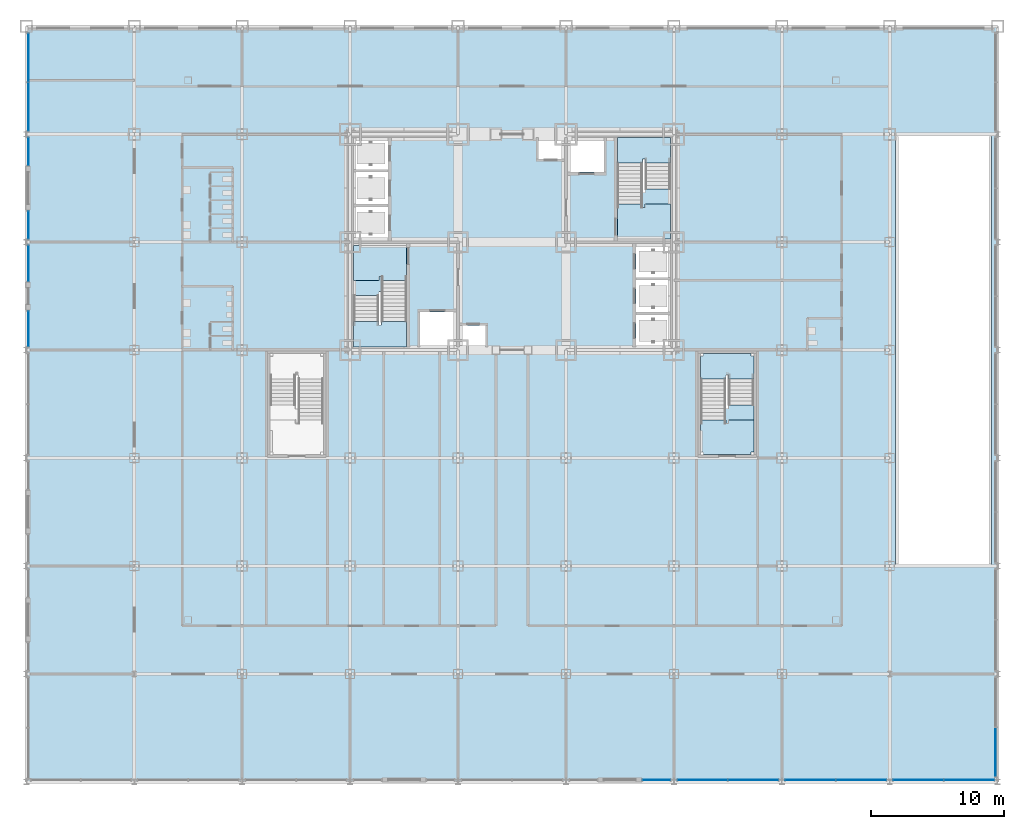
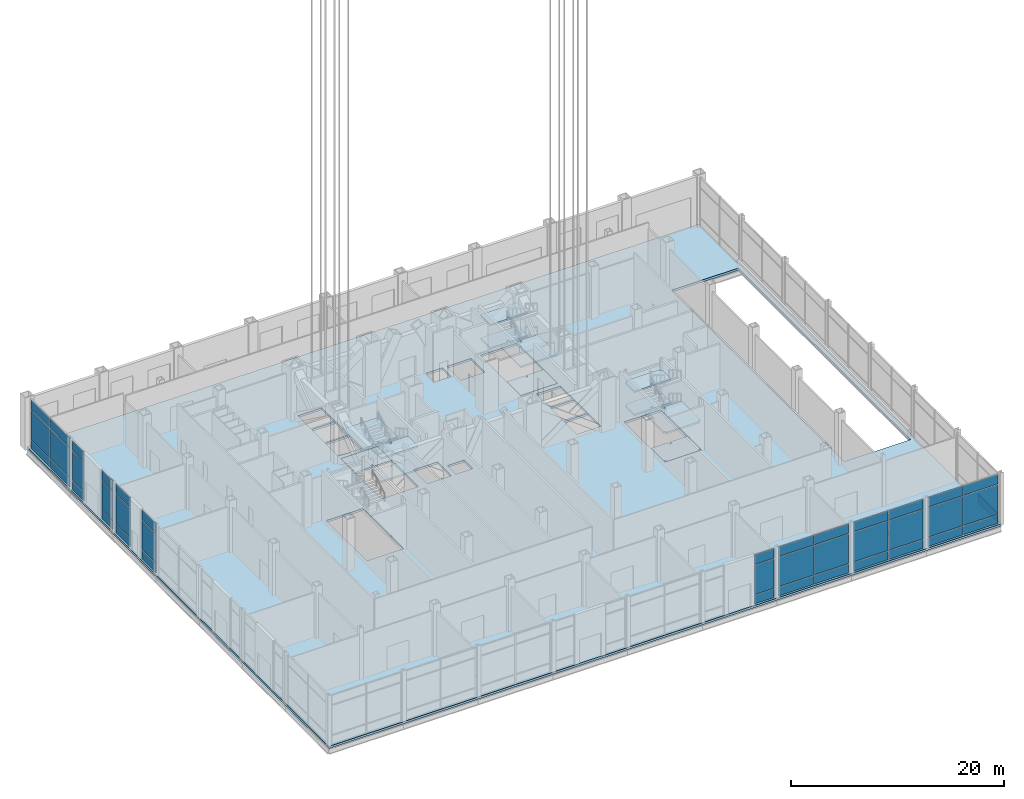
# One storey, part 20 of 35: 40 plates, 13 slabs, 13 elements without a shape of their own.
"""IFC4 building model written with IfcOpenShell, lengths in metres."""

from ifc_helpers import new_model, si_unit, direction, frame, origin, origin_2d, place, context, subcontext, project, spatial, polyline, rectangle, outline, extrude, material, layer, layer_set, type_object, element, aggregate, save


model = new_model("IFC4")

# Units and contexts
model_context = context("Model", 3, precision=1e-05, world=origin(), true_north=direction((0.0, 1.0)))
body_context = subcontext(model_context, "Body", "Model", "MODEL_VIEW")
ifc_project = project(units=[si_unit("LENGTHUNIT", "METRE"), si_unit("AREAUNIT", "SQUARE_METRE"), si_unit("VOLUMEUNIT", "CUBIC_METRE"), si_unit("PLANEANGLEUNIT", "RADIAN"), si_unit("MASSUNIT", "GRAM", prefix="KILO")], contexts=[model_context])

# Site, building, storey
site_placement = place(None, origin())
site = spatial("IfcSite", under=ifc_project, at=site_placement, CompositionType="ELEMENT")
building_placement = place(site_placement, origin())
building = spatial("IfcBuilding", under=site, at=building_placement, Name="Kopane Lantern Tower", CompositionType="ELEMENT")
storey_placement = place(building_placement, origin())
storey = spatial("IfcBuildingStorey", under=building, at=storey_placement, Name="L00", CompositionType="ELEMENT", Elevation=0.0)

# Curtain wall, plates
ifc_material_1 = material(Name="Aluminium and clear glass", Category="aluminium")
curtain_wall_type = type_object("IfcCurtainWallType", Name="CURTAIN WALL CW1 PODIUM STOREFRONT", PredefinedType="USERDEFINED", material=ifc_material_1)
curtain_wall_1_placement = place(storey_placement, origin())
curtain_wall_1 = element("IfcCurtainWall", 1, at=curtain_wall_1_placement, inside=storey, type_object=curtain_wall_type, Name="Curtain wall CW1 S L00", ObjectType="CURTAIN WALL", PredefinedType="USERDEFINED")
ifc_material_2 = material(Name="Insulated clear glass unit", Category="glass")
ifc_layer_1 = layer(ifc_material_2, 0.031982421875)
ifc_layer_set_1 = layer_set([ifc_layer_1], Name="CURTAIN PANEL CW1-P 32")
plate_type = type_object("IfcPlateType", Name="CURTAIN PANEL CW1-P 32", PredefinedType="CURTAIN_PANEL", material=ifc_layer_set_1)
plate_1_placement = place(storey_placement, frame((39.19677734375, -7.949951171875, 0.06494140625), z_axis=(0.0, 0.0, 1.0), x_axis=(1.0, 0.0, 0.0)))
plate_1 = element("IfcPlate", 2, at=plate_1_placement, type_object=plate_type, Name="CW1 panel 1.1", PredefinedType="CURTAIN_PANEL", context=body_context, shape_type="SweptSolid", body=[
    extrude(rectangle(XDim=2.0634765625, YDim=0.031982421875, at=origin_2d()), origin(), (0.0, 0.0, 1.0), 1.00244140625),
])
plate_2_placement = place(storey_placement, frame((39.19677734375, -7.949951171875, 1.13232421875), z_axis=(0.0, 0.0, 1.0), x_axis=(1.0, 0.0, 0.0)))
plate_2 = element("IfcPlate", 3, at=plate_2_placement, type_object=plate_type, Name="CW1 panel 1.2", PredefinedType="CURTAIN_PANEL", context=body_context, shape_type="SweptSolid", body=[
    extrude(rectangle(XDim=2.0634765625, YDim=0.031982421875, at=origin_2d()), origin(), (0.0, 0.0, 1.0), 3.385009765625),
])
plate_3_placement = place(storey_placement, frame((39.19677734375, -7.949951171875, 4.58251953125), z_axis=(0.0, 0.0, 1.0), x_axis=(1.0, 0.0, 0.0)))
plate_3 = element("IfcPlate", 4, at=plate_3_placement, type_object=plate_type, Name="CW1 panel 1.3", PredefinedType="CURTAIN_PANEL", context=body_context, shape_type="SweptSolid", body=[
    extrude(rectangle(XDim=2.0634765625, YDim=0.031982421875, at=origin_2d()), origin(), (0.0, 0.0, 1.0), 1.1025390625),
])
aggregate(curtain_wall_1, [plate_1, plate_2, plate_3])

curtain_wall_2_placement = place(storey_placement, origin())
curtain_wall_2 = element("IfcCurtainWall", 5, at=curtain_wall_2_placement, inside=storey, type_object=curtain_wall_type, Name="Curtain wall CW1 S L00", ObjectType="CURTAIN WALL", PredefinedType="USERDEFINED")
plate_4_placement = place(storey_placement, frame((42.64453125, -7.949951171875, 0.06494140625), z_axis=(0.0, 0.0, 1.0), x_axis=(1.0, 0.0, 0.0)))
plate_4 = element("IfcPlate", 6, at=plate_4_placement, type_object=plate_type, Name="CW1 panel 1.1", PredefinedType="CURTAIN_PANEL", context=body_context, shape_type="SweptSolid", body=[
    extrude(rectangle(XDim=3.74609375, YDim=0.031982421875, at=origin_2d()), origin(), (0.0, 0.0, 1.0), 1.00244140625),
])
plate_5_placement = place(storey_placement, frame((42.64453125, -7.949951171875, 1.13232421875), z_axis=(0.0, 0.0, 1.0), x_axis=(1.0, 0.0, 0.0)))
plate_5 = element("IfcPlate", 7, at=plate_5_placement, type_object=plate_type, Name="CW1 panel 1.2", PredefinedType="CURTAIN_PANEL", context=body_context, shape_type="SweptSolid", body=[
    extrude(rectangle(XDim=3.74609375, YDim=0.031982421875, at=origin_2d()), origin(), (0.0, 0.0, 1.0), 3.385009765625),
])
plate_6_placement = place(storey_placement, frame((42.64453125, -7.949951171875, 4.58251953125), z_axis=(0.0, 0.0, 1.0), x_axis=(1.0, 0.0, 0.0)))
plate_6 = element("IfcPlate", 8, at=plate_6_placement, type_object=plate_type, Name="CW1 panel 1.3", PredefinedType="CURTAIN_PANEL", context=body_context, shape_type="SweptSolid", body=[
    extrude(rectangle(XDim=3.74609375, YDim=0.031982421875, at=origin_2d()), origin(), (0.0, 0.0, 1.0), 1.1025390625),
])
plate_7_placement = place(storey_placement, frame((46.45556640625, -7.949951171875, 0.06494140625), z_axis=(0.0, 0.0, 1.0), x_axis=(1.0, 0.0, 0.0)))
plate_7 = element("IfcPlate", 9, at=plate_7_placement, type_object=plate_type, Name="CW1 panel 2.1", PredefinedType="CURTAIN_PANEL", context=body_context, shape_type="SweptSolid", body=[
    extrude(rectangle(XDim=3.74609375, YDim=0.031982421875, at=origin_2d()), origin(), (0.0, 0.0, 1.0), 1.00244140625),
])
plate_8_placement = place(storey_placement, frame((46.45556640625, -7.949951171875, 1.13232421875), z_axis=(0.0, 0.0, 1.0), x_axis=(1.0, 0.0, 0.0)))
plate_8 = element("IfcPlate", 10, at=plate_8_placement, type_object=plate_type, Name="CW1 panel 2.2", PredefinedType="CURTAIN_PANEL", context=body_context, shape_type="SweptSolid", body=[
    extrude(rectangle(XDim=3.74609375, YDim=0.031982421875, at=origin_2d()), origin(), (0.0, 0.0, 1.0), 3.385009765625),
])
plate_9_placement = place(storey_placement, frame((46.45556640625, -7.949951171875, 4.58251953125), z_axis=(0.0, 0.0, 1.0), x_axis=(1.0, 0.0, 0.0)))
plate_9 = element("IfcPlate", 11, at=plate_9_placement, type_object=plate_type, Name="CW1 panel 2.3", PredefinedType="CURTAIN_PANEL", context=body_context, shape_type="SweptSolid", body=[
    extrude(rectangle(XDim=3.74609375, YDim=0.031982421875, at=origin_2d()), origin(), (0.0, 0.0, 1.0), 1.1025390625),
])
aggregate(curtain_wall_2, [plate_4, plate_5, plate_6, plate_7, plate_8, plate_9])

curtain_wall_3_placement = place(storey_placement, origin())
curtain_wall_3 = element("IfcCurtainWall", 12, at=curtain_wall_3_placement, inside=storey, type_object=curtain_wall_type, Name="Curtain wall CW1 S L00", ObjectType="CURTAIN WALL", PredefinedType="USERDEFINED")
plate_10_placement = place(storey_placement, frame((50.744384765625, -7.949951171875, 0.06494140625), z_axis=(0.0, 0.0, 1.0), x_axis=(1.0, 0.0, 0.0)))
plate_10 = element("IfcPlate", 13, at=plate_10_placement, type_object=plate_type, Name="CW1 panel 1.1", PredefinedType="CURTAIN_PANEL", context=body_context, shape_type="SweptSolid", body=[
    extrude(rectangle(XDim=3.74609375, YDim=0.031982421875, at=origin_2d()), origin(), (0.0, 0.0, 1.0), 1.00244140625),
])
plate_11_placement = place(storey_placement, frame((50.744384765625, -7.949951171875, 1.13232421875), z_axis=(0.0, 0.0, 1.0), x_axis=(1.0, 0.0, 0.0)))
plate_11 = element("IfcPlate", 14, at=plate_11_placement, type_object=plate_type, Name="CW1 panel 1.2", PredefinedType="CURTAIN_PANEL", context=body_context, shape_type="SweptSolid", body=[
    extrude(rectangle(XDim=3.74609375, YDim=0.031982421875, at=origin_2d()), origin(), (0.0, 0.0, 1.0), 3.385009765625),
])
plate_12_placement = place(storey_placement, frame((50.744384765625, -7.949951171875, 4.58251953125), z_axis=(0.0, 0.0, 1.0), x_axis=(1.0, 0.0, 0.0)))
plate_12 = element("IfcPlate", 15, at=plate_12_placement, type_object=plate_type, Name="CW1 panel 1.3", PredefinedType="CURTAIN_PANEL", context=body_context, shape_type="SweptSolid", body=[
    extrude(rectangle(XDim=3.74609375, YDim=0.031982421875, at=origin_2d()), origin(), (0.0, 0.0, 1.0), 1.1025390625),
])
plate_13_placement = place(storey_placement, frame((54.555419921875, -7.949951171875, 0.06494140625), z_axis=(0.0, 0.0, 1.0), x_axis=(1.0, 0.0, 0.0)))
plate_13 = element("IfcPlate", 16, at=plate_13_placement, type_object=plate_type, Name="CW1 panel 2.1", PredefinedType="CURTAIN_PANEL", context=body_context, shape_type="SweptSolid", body=[
    extrude(rectangle(XDim=3.74609375, YDim=0.031982421875, at=origin_2d()), origin(), (0.0, 0.0, 1.0), 1.00244140625),
])
plate_14_placement = place(storey_placement, frame((54.555419921875, -7.949951171875, 1.13232421875), z_axis=(0.0, 0.0, 1.0), x_axis=(1.0, 0.0, 0.0)))
plate_14 = element("IfcPlate", 17, at=plate_14_placement, type_object=plate_type, Name="CW1 panel 2.2", PredefinedType="CURTAIN_PANEL", context=body_context, shape_type="SweptSolid", body=[
    extrude(rectangle(XDim=3.74609375, YDim=0.031982421875, at=origin_2d()), origin(), (0.0, 0.0, 1.0), 3.385009765625),
])
plate_15_placement = place(storey_placement, frame((54.555419921875, -7.949951171875, 4.58251953125), z_axis=(0.0, 0.0, 1.0), x_axis=(1.0, 0.0, 0.0)))
plate_15 = element("IfcPlate", 18, at=plate_15_placement, type_object=plate_type, Name="CW1 panel 2.3", PredefinedType="CURTAIN_PANEL", context=body_context, shape_type="SweptSolid", body=[
    extrude(rectangle(XDim=3.74609375, YDim=0.031982421875, at=origin_2d()), origin(), (0.0, 0.0, 1.0), 1.1025390625),
])
aggregate(curtain_wall_3, [plate_10, plate_11, plate_12, plate_13, plate_14, plate_15])

curtain_wall_4_placement = place(storey_placement, origin())
curtain_wall_4 = element("IfcCurtainWall", 19, at=curtain_wall_4_placement, inside=storey, type_object=curtain_wall_type, Name="Curtain wall CW1 S L00", ObjectType="CURTAIN WALL", PredefinedType="USERDEFINED")
plate_16_placement = place(storey_placement, frame((58.844482421875, -7.949951171875, 0.06494140625), z_axis=(0.0, 0.0, 1.0), x_axis=(1.0, 0.0, 0.0)))
plate_16 = element("IfcPlate", 20, at=plate_16_placement, type_object=plate_type, Name="CW1 panel 1.1", PredefinedType="CURTAIN_PANEL", context=body_context, shape_type="SweptSolid", body=[
    extrude(rectangle(XDim=3.74609375, YDim=0.031982421875, at=origin_2d()), origin(), (0.0, 0.0, 1.0), 1.00244140625),
])
plate_17_placement = place(storey_placement, frame((58.844482421875, -7.949951171875, 1.13232421875), z_axis=(0.0, 0.0, 1.0), x_axis=(1.0, 0.0, 0.0)))
plate_17 = element("IfcPlate", 21, at=plate_17_placement, type_object=plate_type, Name="CW1 panel 1.2", PredefinedType="CURTAIN_PANEL", context=body_context, shape_type="SweptSolid", body=[
    extrude(rectangle(XDim=3.74609375, YDim=0.031982421875, at=origin_2d()), origin(), (0.0, 0.0, 1.0), 3.385009765625),
])
plate_18_placement = place(storey_placement, frame((58.844482421875, -7.949951171875, 4.58251953125), z_axis=(0.0, 0.0, 1.0), x_axis=(1.0, 0.0, 0.0)))
plate_18 = element("IfcPlate", 22, at=plate_18_placement, type_object=plate_type, Name="CW1 panel 1.3", PredefinedType="CURTAIN_PANEL", context=body_context, shape_type="SweptSolid", body=[
    extrude(rectangle(XDim=3.74609375, YDim=0.031982421875, at=origin_2d()), origin(), (0.0, 0.0, 1.0), 1.1025390625),
])
plate_19_placement = place(storey_placement, frame((62.655517578125, -7.949951171875, 0.06494140625), z_axis=(0.0, 0.0, 1.0), x_axis=(1.0, 0.0, 0.0)))
plate_19 = element("IfcPlate", 23, at=plate_19_placement, type_object=plate_type, Name="CW1 panel 2.1", PredefinedType="CURTAIN_PANEL", context=body_context, shape_type="SweptSolid", body=[
    extrude(rectangle(XDim=3.74609375, YDim=0.031982421875, at=origin_2d()), origin(), (0.0, 0.0, 1.0), 1.00244140625),
])
plate_20_placement = place(storey_placement, frame((62.655517578125, -7.949951171875, 1.13232421875), z_axis=(0.0, 0.0, 1.0), x_axis=(1.0, 0.0, 0.0)))
plate_20 = element("IfcPlate", 24, at=plate_20_placement, type_object=plate_type, Name="CW1 panel 2.2", PredefinedType="CURTAIN_PANEL", context=body_context, shape_type="SweptSolid", body=[
    extrude(rectangle(XDim=3.74609375, YDim=0.031982421875, at=origin_2d()), origin(), (0.0, 0.0, 1.0), 3.385009765625),
])
plate_21_placement = place(storey_placement, frame((62.655517578125, -7.949951171875, 4.58251953125), z_axis=(0.0, 0.0, 1.0), x_axis=(1.0, 0.0, 0.0)))
plate_21 = element("IfcPlate", 25, at=plate_21_placement, type_object=plate_type, Name="CW1 panel 2.3", PredefinedType="CURTAIN_PANEL", context=body_context, shape_type="SweptSolid", body=[
    extrude(rectangle(XDim=3.74609375, YDim=0.031982421875, at=origin_2d()), origin(), (0.0, 0.0, 1.0), 1.1025390625),
])
aggregate(curtain_wall_4, [plate_16, plate_17, plate_18, plate_19, plate_20, plate_21])

# Curtain wall, plate
curtain_wall_5_placement = place(storey_placement, origin())
curtain_wall_5 = element("IfcCurtainWall", 26, at=curtain_wall_5_placement, inside=storey, type_object=curtain_wall_type, Name="Curtain wall CW1 E L00", ObjectType="CURTAIN WALL", PredefinedType="USERDEFINED")
plate_22_placement = place(storey_placement, frame((64.64990234375, -5.8857421875, 0.06494140625), z_axis=(0.0, 0.0, 1.0), x_axis=(0.0, 1.0, 0.0)))
plate_22 = element("IfcPlate", 27, at=plate_22_placement, type_object=plate_type, Name="CW1 panel 1.1", PredefinedType="CURTAIN_PANEL", context=body_context, shape_type="SweptSolid", body=[
    extrude(rectangle(XDim=3.698486328125, YDim=0.031982421875, at=origin_2d()), origin(), (0.0, 0.0, 1.0), 1.00244140625),
])
aggregate(curtain_wall_5, [plate_22])

# Curtain wall, plates
curtain_wall_6_placement = place(storey_placement, origin())
curtain_wall_6 = element("IfcCurtainWall", 28, at=curtain_wall_6_placement, inside=storey, type_object=curtain_wall_type, Name="Curtain wall CW1 W L00", ObjectType="CURTAIN WALL", PredefinedType="USERDEFINED")
plate_23_placement = place(storey_placement, frame((-7.949951171875, 46.250732421875, 0.06494140625), z_axis=(0.0, 0.0, 1.0), x_axis=(0.0, -1.0, 0.0)))
plate_23 = element("IfcPlate", 29, at=plate_23_placement, type_object=plate_type, Name="CW1 panel 1.1", PredefinedType="CURTAIN_PANEL", context=body_context, shape_type="SweptSolid", body=[
    extrude(rectangle(XDim=3.6083984375, YDim=0.031982421875, at=origin_2d()), origin(), (0.0, 0.0, 1.0), 1.00244140625),
])
plate_24_placement = place(storey_placement, frame((-7.949951171875, 46.250732421875, 1.13232421875), z_axis=(0.0, 0.0, 1.0), x_axis=(0.0, -1.0, 0.0)))
plate_24 = element("IfcPlate", 30, at=plate_24_placement, type_object=plate_type, Name="CW1 panel 1.2", PredefinedType="CURTAIN_PANEL", context=body_context, shape_type="SweptSolid", body=[
    extrude(rectangle(XDim=3.6083984375, YDim=0.031982421875, at=origin_2d()), origin(), (0.0, 0.0, 1.0), 3.385009765625),
])
plate_25_placement = place(storey_placement, frame((-7.949951171875, 46.250732421875, 4.58251953125), z_axis=(0.0, 0.0, 1.0), x_axis=(0.0, -1.0, 0.0)))
plate_25 = element("IfcPlate", 31, at=plate_25_placement, type_object=plate_type, Name="CW1 panel 1.3", PredefinedType="CURTAIN_PANEL", context=body_context, shape_type="SweptSolid", body=[
    extrude(rectangle(XDim=3.6083984375, YDim=0.031982421875, at=origin_2d()), origin(), (0.0, 0.0, 1.0), 1.1025390625),
])
plate_26_placement = place(storey_placement, frame((-7.949951171875, 42.577392578125, 0.06494140625), z_axis=(0.0, 0.0, 1.0), x_axis=(0.0, -1.0, 0.0)))
plate_26 = element("IfcPlate", 32, at=plate_26_placement, type_object=plate_type, Name="CW1 panel 2.1", PredefinedType="CURTAIN_PANEL", context=body_context, shape_type="SweptSolid", body=[
    extrude(rectangle(XDim=3.6083984375, YDim=0.031982421875, at=origin_2d()), origin(), (0.0, 0.0, 1.0), 1.00244140625),
])
plate_27_placement = place(storey_placement, frame((-7.949951171875, 42.577392578125, 1.13232421875), z_axis=(0.0, 0.0, 1.0), x_axis=(0.0, -1.0, 0.0)))
plate_27 = element("IfcPlate", 33, at=plate_27_placement, type_object=plate_type, Name="CW1 panel 2.2", PredefinedType="CURTAIN_PANEL", context=body_context, shape_type="SweptSolid", body=[
    extrude(rectangle(XDim=3.6083984375, YDim=0.031982421875, at=origin_2d()), origin(), (0.0, 0.0, 1.0), 3.385009765625),
])
plate_28_placement = place(storey_placement, frame((-7.949951171875, 42.577392578125, 4.58251953125), z_axis=(0.0, 0.0, 1.0), x_axis=(0.0, -1.0, 0.0)))
plate_28 = element("IfcPlate", 34, at=plate_28_placement, type_object=plate_type, Name="CW1 panel 2.3", PredefinedType="CURTAIN_PANEL", context=body_context, shape_type="SweptSolid", body=[
    extrude(rectangle(XDim=3.6083984375, YDim=0.031982421875, at=origin_2d()), origin(), (0.0, 0.0, 1.0), 1.1025390625),
])
aggregate(curtain_wall_6, [plate_23, plate_24, plate_25, plate_26, plate_27, plate_28])

curtain_wall_7_placement = place(storey_placement, origin())
curtain_wall_7 = element("IfcCurtainWall", 35, at=curtain_wall_7_placement, inside=storey, type_object=curtain_wall_type, Name="Curtain wall CW1 W L00", ObjectType="CURTAIN WALL", PredefinedType="USERDEFINED")
plate_29_placement = place(storey_placement, frame((-7.949951171875, 39.19580078125, 0.06494140625), z_axis=(0.0, 0.0, 1.0), x_axis=(0.0, -1.0, 0.0)))
plate_29 = element("IfcPlate", 36, at=plate_29_placement, type_object=plate_type, Name="CW1 panel 1.1", PredefinedType="CURTAIN_PANEL", context=body_context, shape_type="SweptSolid", body=[
    extrude(rectangle(XDim=2.061767578125, YDim=0.031982421875, at=origin_2d()), origin(), (0.0, 0.0, 1.0), 1.00244140625),
])
plate_30_placement = place(storey_placement, frame((-7.949951171875, 39.19580078125, 1.13232421875), z_axis=(0.0, 0.0, 1.0), x_axis=(0.0, -1.0, 0.0)))
plate_30 = element("IfcPlate", 37, at=plate_30_placement, type_object=plate_type, Name="CW1 panel 1.2", PredefinedType="CURTAIN_PANEL", context=body_context, shape_type="SweptSolid", body=[
    extrude(rectangle(XDim=2.061767578125, YDim=0.031982421875, at=origin_2d()), origin(), (0.0, 0.0, 1.0), 3.385009765625),
])
plate_31_placement = place(storey_placement, frame((-7.949951171875, 39.19580078125, 4.58251953125), z_axis=(0.0, 0.0, 1.0), x_axis=(0.0, -1.0, 0.0)))
plate_31 = element("IfcPlate", 38, at=plate_31_placement, type_object=plate_type, Name="CW1 panel 1.3", PredefinedType="CURTAIN_PANEL", context=body_context, shape_type="SweptSolid", body=[
    extrude(rectangle(XDim=2.061767578125, YDim=0.031982421875, at=origin_2d()), origin(), (0.0, 0.0, 1.0), 1.1025390625),
])
aggregate(curtain_wall_7, [plate_29, plate_30, plate_31])

curtain_wall_8_placement = place(storey_placement, origin())
curtain_wall_8 = element("IfcCurtainWall", 39, at=curtain_wall_8_placement, inside=storey, type_object=curtain_wall_type, Name="Curtain wall CW1 W L00", ObjectType="CURTAIN WALL", PredefinedType="USERDEFINED")
plate_32_placement = place(storey_placement, frame((-7.949951171875, 33.7041015625, 0.06494140625), z_axis=(0.0, 0.0, 1.0), x_axis=(0.0, -1.0, 0.0)))
plate_32 = element("IfcPlate", 40, at=plate_32_placement, type_object=plate_type, Name="CW1 panel 1.1", PredefinedType="CURTAIN_PANEL", context=body_context, shape_type="SweptSolid", body=[
    extrude(rectangle(XDim=2.061767578125, YDim=0.031982421875, at=origin_2d()), origin(), (0.0, 0.0, 1.0), 1.00244140625),
])
plate_33_placement = place(storey_placement, frame((-7.949951171875, 33.7041015625, 1.13232421875), z_axis=(0.0, 0.0, 1.0), x_axis=(0.0, -1.0, 0.0)))
plate_33 = element("IfcPlate", 41, at=plate_33_placement, type_object=plate_type, Name="CW1 panel 1.2", PredefinedType="CURTAIN_PANEL", context=body_context, shape_type="SweptSolid", body=[
    extrude(rectangle(XDim=2.061767578125, YDim=0.031982421875, at=origin_2d()), origin(), (0.0, 0.0, 1.0), 3.385009765625),
])
plate_34_placement = place(storey_placement, frame((-7.949951171875, 33.7041015625, 4.58251953125), z_axis=(0.0, 0.0, 1.0), x_axis=(0.0, -1.0, 0.0)))
plate_34 = element("IfcPlate", 42, at=plate_34_placement, type_object=plate_type, Name="CW1 panel 1.3", PredefinedType="CURTAIN_PANEL", context=body_context, shape_type="SweptSolid", body=[
    extrude(rectangle(XDim=2.061767578125, YDim=0.031982421875, at=origin_2d()), origin(), (0.0, 0.0, 1.0), 1.1025390625),
])
aggregate(curtain_wall_8, [plate_32, plate_33, plate_34])

curtain_wall_9_placement = place(storey_placement, origin())
curtain_wall_9 = element("IfcCurtainWall", 43, at=curtain_wall_9_placement, inside=storey, type_object=curtain_wall_type, Name="Curtain wall CW1 W L00", ObjectType="CURTAIN WALL", PredefinedType="USERDEFINED")
plate_35_placement = place(storey_placement, frame((-7.949951171875, 30.7958984375, 0.06494140625), z_axis=(0.0, 0.0, 1.0), x_axis=(0.0, -1.0, 0.0)))
plate_35 = element("IfcPlate", 44, at=plate_35_placement, type_object=plate_type, Name="CW1 panel 1.1", PredefinedType="CURTAIN_PANEL", context=body_context, shape_type="SweptSolid", body=[
    extrude(rectangle(XDim=2.661865234375, YDim=0.031982421875, at=origin_2d()), origin(), (0.0, 0.0, 1.0), 1.00244140625),
])
plate_36_placement = place(storey_placement, frame((-7.949951171875, 30.7958984375, 1.13232421875), z_axis=(0.0, 0.0, 1.0), x_axis=(0.0, -1.0, 0.0)))
plate_36 = element("IfcPlate", 45, at=plate_36_placement, type_object=plate_type, Name="CW1 panel 1.2", PredefinedType="CURTAIN_PANEL", context=body_context, shape_type="SweptSolid", body=[
    extrude(rectangle(XDim=2.661865234375, YDim=0.031982421875, at=origin_2d()), origin(), (0.0, 0.0, 1.0), 3.385009765625),
])
plate_37_placement = place(storey_placement, frame((-7.949951171875, 30.7958984375, 4.58251953125), z_axis=(0.0, 0.0, 1.0), x_axis=(0.0, -1.0, 0.0)))
plate_37 = element("IfcPlate", 46, at=plate_37_placement, type_object=plate_type, Name="CW1 panel 1.3", PredefinedType="CURTAIN_PANEL", context=body_context, shape_type="SweptSolid", body=[
    extrude(rectangle(XDim=2.661865234375, YDim=0.031982421875, at=origin_2d()), origin(), (0.0, 0.0, 1.0), 1.1025390625),
])
aggregate(curtain_wall_9, [plate_35, plate_36, plate_37])

curtain_wall_10_placement = place(storey_placement, origin())
curtain_wall_10 = element("IfcCurtainWall", 47, at=curtain_wall_10_placement, inside=storey, type_object=curtain_wall_type, Name="Curtain wall CW1 W L00", ObjectType="CURTAIN WALL", PredefinedType="USERDEFINED")
plate_38_placement = place(storey_placement, frame((-7.949951171875, 25.904052734375, 0.06494140625), z_axis=(0.0, 0.0, 1.0), x_axis=(0.0, -1.0, 0.0)))
plate_38 = element("IfcPlate", 48, at=plate_38_placement, type_object=plate_type, Name="CW1 panel 1.1", PredefinedType="CURTAIN_PANEL", context=body_context, shape_type="SweptSolid", body=[
    extrude(rectangle(XDim=2.661865234375, YDim=0.031982421875, at=origin_2d()), origin(), (0.0, 0.0, 1.0), 1.00244140625),
])
plate_39_placement = place(storey_placement, frame((-7.949951171875, 25.904052734375, 1.13232421875), z_axis=(0.0, 0.0, 1.0), x_axis=(0.0, -1.0, 0.0)))
plate_39 = element("IfcPlate", 49, at=plate_39_placement, type_object=plate_type, Name="CW1 panel 1.2", PredefinedType="CURTAIN_PANEL", context=body_context, shape_type="SweptSolid", body=[
    extrude(rectangle(XDim=2.661865234375, YDim=0.031982421875, at=origin_2d()), origin(), (0.0, 0.0, 1.0), 3.385009765625),
])
plate_40_placement = place(storey_placement, frame((-7.949951171875, 25.904052734375, 4.58251953125), z_axis=(0.0, 0.0, 1.0), x_axis=(0.0, -1.0, 0.0)))
plate_40 = element("IfcPlate", 50, at=plate_40_placement, type_object=plate_type, Name="CW1 panel 1.3", PredefinedType="CURTAIN_PANEL", context=body_context, shape_type="SweptSolid", body=[
    extrude(rectangle(XDim=2.661865234375, YDim=0.031982421875, at=origin_2d()), origin(), (0.0, 0.0, 1.0), 1.1025390625),
])
aggregate(curtain_wall_10, [plate_38, plate_39, plate_40])

# Slab
ifc_material_3 = material(Name="Concrete C40/50", Category="concrete")
ifc_layer_2 = layer(ifc_material_3, 0.25)
ifc_layer_set_2 = layer_set([ifc_layer_2], Name="SLAB 250 COMPOSITE")
slab_type_1 = type_object("IfcSlabType", Name="SLAB 250 COMPOSITE", PredefinedType="FLOOR", material=ifc_layer_set_2)
slab_1_placement = place(storey_placement, frame((0.0, 0.0, -0.25)))
element("IfcSlab", 51, at=slab_1_placement, inside=storey, type_object=slab_type_1, Name="Floor slab L00", PredefinedType="FLOOR", context=body_context, shape_type="SweptSolid", body=[
    extrude(outline(polyline([(-8.10009765625, -8.10009765625), (64.800048828125, -8.10009765625), (64.800048828125, 48.60009765625), (-8.10009765625, 48.60009765625), (-8.10009765625, -8.10009765625)]), holes=[polyline([(16.449951171875, 24.550048828125), (20.449951171875, 24.550048828125), (20.449951171875, 32.14990234375), (16.449951171875, 32.14990234375), (16.449951171875, 24.550048828125)]), polyline([(36.25, 32.64990234375), (40.25, 32.64990234375), (40.25, 40.25), (36.25, 40.25), (36.25, 32.64990234375)]), polyline([(16.449951171875, 32.64990234375), (19.050048828125, 32.64990234375), (19.050048828125, 35.050048828125), (16.449951171875, 35.050048828125), (16.449951171875, 32.64990234375)]), polyline([(16.449951171875, 35.25), (19.050048828125, 35.25), (19.050048828125, 37.64990234375), (16.449951171875, 37.64990234375), (16.449951171875, 35.25)]), polyline([(16.449951171875, 37.85009765625), (19.050048828125, 37.85009765625), (19.050048828125, 40.25), (16.449951171875, 40.25), (16.449951171875, 37.85009765625)]), polyline([(37.64990234375, 24.550048828125), (40.25, 24.550048828125), (40.25, 26.949951171875), (37.64990234375, 26.949951171875), (37.64990234375, 24.550048828125)]), polyline([(37.64990234375, 27.14990234375), (40.25, 27.14990234375), (40.25, 29.550048828125), (37.64990234375, 29.550048828125), (37.64990234375, 27.14990234375)]), polyline([(37.64990234375, 29.75), (40.25, 29.75), (40.25, 32.14990234375), (37.64990234375, 32.14990234375), (37.64990234375, 29.75)]), polyline([(21.449951171875, 24.550048828125), (24.050048828125, 24.550048828125), (24.050048828125, 27.14990234375), (21.449951171875, 27.14990234375), (21.449951171875, 24.550048828125)]), polyline([(32.64990234375, 37.64990234375), (35.25, 37.64990234375), (35.25, 40.25), (32.64990234375, 40.25), (32.64990234375, 37.64990234375)]), polyline([(24.550048828125, 24.550048828125), (26.35009765625, 24.550048828125), (26.35009765625, 26.14990234375), (24.550048828125, 26.14990234375), (24.550048828125, 24.550048828125)]), polyline([(30.35009765625, 38.64990234375), (32.14990234375, 38.64990234375), (32.14990234375, 40.25), (30.35009765625, 40.25), (30.35009765625, 38.64990234375)]), polyline([(10.199951171875, 16.449951171875), (14.199951171875, 16.449951171875), (14.199951171875, 24.050048828125), (10.199951171875, 24.050048828125), (10.199951171875, 16.449951171875)]), polyline([(42.5, 16.449951171875), (46.5, 16.449951171875), (46.5, 24.050048828125), (42.5, 24.050048828125), (42.5, 16.449951171875)]), polyline([(57.14990234375, 8.10009765625), (64.35009765625, 8.10009765625), (64.35009765625, 40.5), (57.14990234375, 40.5), (57.14990234375, 8.10009765625)])]), origin(), (0.0, 0.0, 1.0), 0.25),
])

# Stair, slabs
ifc_material_4 = material(Name="Steel S355JR", Category="steel")
stair_type = type_object("IfcStairType", Name="EXIT STAIR 1900 HALF TURN", PredefinedType="HALF_TURN_STAIR", material=ifc_material_4)
stair_1_placement = place(storey_placement, origin())
stair_1 = element("IfcStair", 52, at=stair_1_placement, inside=storey, type_object=stair_type, Name="Exit stair ST1 L00", PredefinedType="HALF_TURN_STAIR")
ifc_material_5 = material(Name="Concrete C40/50", Category="concrete")
ifc_layer_3 = layer(ifc_material_5, 0.199951171875)
ifc_layer_set_3 = layer_set([ifc_layer_3], Name="STAIR LANDING 200")
slab_type_2 = type_object("IfcSlabType", Name="STAIR LANDING 200", PredefinedType="LANDING", material=ifc_layer_set_3)
slab_2_placement = place(storey_placement, frame((0.0, 0.0, -0.199951171875)))
slab_2 = element("IfcSlab", 53, at=slab_2_placement, type_object=slab_type_2, Name="ST1 landing 1", PredefinedType="LANDING", context=body_context, shape_type="SweptSolid", body=[
    extrude(outline(polyline([(18.35009765625, 29.81005859375), (18.550048828125, 29.81005859375), (18.550048828125, 29.530029296875), (20.449951171875, 29.530029296875), (20.449951171875, 32.14990234375), (16.449951171875, 32.14990234375), (16.449951171875, 29.530029296875), (18.35009765625, 29.530029296875), (18.35009765625, 29.81005859375)])), origin(), (0.0, 0.0, 1.0), 0.199951171875),
])
slab_3_placement = place(storey_placement, frame((0.0, 0.0, 1.800048828125)))
slab_3 = element("IfcSlab", 54, at=slab_3_placement, type_object=slab_type_2, Name="ST1 landing 2", PredefinedType="LANDING", context=body_context, shape_type="SweptSolid", body=[
    extrude(outline(polyline([(20.449951171875, 26.449951171875), (18.550048828125, 26.449951171875), (18.550048828125, 26.169921875), (18.35009765625, 26.169921875), (18.35009765625, 26.449951171875), (16.449951171875, 26.449951171875), (16.449951171875, 24.550048828125), (20.449951171875, 24.550048828125), (20.449951171875, 26.449951171875)])), origin(), (0.0, 0.0, 1.0), 0.199951171875),
])
slab_4_placement = place(storey_placement, frame((0.0, 0.0, 3.13330078125)))
slab_4 = element("IfcSlab", 55, at=slab_4_placement, type_object=slab_type_2, Name="ST1 landing 3", PredefinedType="LANDING", context=body_context, shape_type="SweptSolid", body=[
    extrude(outline(polyline([(18.35009765625, 28.68994140625), (18.550048828125, 28.68994140625), (18.550048828125, 28.409912109375), (20.449951171875, 28.409912109375), (20.449951171875, 32.14990234375), (16.449951171875, 32.14990234375), (16.449951171875, 28.409912109375), (18.35009765625, 28.409912109375), (18.35009765625, 28.68994140625)])), origin(), (0.0, 0.0, 1.0), 0.199951171875),
])
slab_5_placement = place(storey_placement, frame((0.0, 0.0, 4.466796875)))
slab_5 = element("IfcSlab", 56, at=slab_5_placement, type_object=slab_type_2, Name="ST1 landing 4", PredefinedType="LANDING", context=body_context, shape_type="SweptSolid", body=[
    extrude(outline(polyline([(20.449951171875, 26.449951171875), (18.550048828125, 26.449951171875), (18.550048828125, 26.169921875), (18.35009765625, 26.169921875), (18.35009765625, 26.449951171875), (16.449951171875, 26.449951171875), (16.449951171875, 24.550048828125), (20.449951171875, 24.550048828125), (20.449951171875, 26.449951171875)])), origin(), (0.0, 0.0, 1.0), 0.199951171875),
])
aggregate(stair_1, [slab_2, slab_3, slab_4, slab_5])

stair_2_placement = place(storey_placement, origin())
stair_2 = element("IfcStair", 57, at=stair_2_placement, inside=storey, type_object=stair_type, Name="Exit stair ST2 L00", PredefinedType="HALF_TURN_STAIR")
slab_6_placement = place(storey_placement, frame((0.0, 0.0, -0.199951171875)))
slab_6 = element("IfcSlab", 58, at=slab_6_placement, type_object=slab_type_2, Name="ST2 landing 1", PredefinedType="LANDING", context=body_context, shape_type="SweptSolid", body=[
    extrude(outline(polyline([(40.25, 35.27001953125), (38.35009765625, 35.27001953125), (38.35009765625, 34.989990234375), (38.14990234375, 34.989990234375), (38.14990234375, 35.27001953125), (36.25, 35.27001953125), (36.25, 32.64990234375), (40.25, 32.64990234375), (40.25, 35.27001953125)])), origin(), (0.0, 0.0, 1.0), 0.199951171875),
])
slab_7_placement = place(storey_placement, frame((0.0, 0.0, 1.800048828125)))
slab_7 = element("IfcSlab", 59, at=slab_7_placement, type_object=slab_type_2, Name="ST2 landing 2", PredefinedType="LANDING", context=body_context, shape_type="SweptSolid", body=[
    extrude(outline(polyline([(38.14990234375, 38.6298828125), (38.35009765625, 38.6298828125), (38.35009765625, 38.35009765625), (40.25, 38.35009765625), (40.25, 40.25), (36.25, 40.25), (36.25, 38.35009765625), (38.14990234375, 38.35009765625), (38.14990234375, 38.6298828125)])), origin(), (0.0, 0.0, 1.0), 0.199951171875),
])
slab_8_placement = place(storey_placement, frame((0.0, 0.0, 3.13330078125)))
slab_8 = element("IfcSlab", 60, at=slab_8_placement, type_object=slab_type_2, Name="ST2 landing 3", PredefinedType="LANDING", context=body_context, shape_type="SweptSolid", body=[
    extrude(outline(polyline([(40.25, 36.389892578125), (38.35009765625, 36.389892578125), (38.35009765625, 36.110107421875), (38.14990234375, 36.110107421875), (38.14990234375, 36.389892578125), (36.25, 36.389892578125), (36.25, 32.64990234375), (40.25, 32.64990234375), (40.25, 36.389892578125)])), origin(), (0.0, 0.0, 1.0), 0.199951171875),
])
slab_9_placement = place(storey_placement, frame((0.0, 0.0, 4.466796875)))
slab_9 = element("IfcSlab", 61, at=slab_9_placement, type_object=slab_type_2, Name="ST2 landing 4", PredefinedType="LANDING", context=body_context, shape_type="SweptSolid", body=[
    extrude(outline(polyline([(38.14990234375, 38.6298828125), (38.35009765625, 38.6298828125), (38.35009765625, 38.35009765625), (40.25, 38.35009765625), (40.25, 40.25), (36.25, 40.25), (36.25, 38.35009765625), (38.14990234375, 38.35009765625), (38.14990234375, 38.6298828125)])), origin(), (0.0, 0.0, 1.0), 0.199951171875),
])
aggregate(stair_2, [slab_6, slab_7, slab_8, slab_9])

stair_3_placement = place(storey_placement, origin())
stair_3 = element("IfcStair", 62, at=stair_3_placement, inside=storey, type_object=stair_type, Name="Exit stair ST4 L00", PredefinedType="HALF_TURN_STAIR")
slab_10_placement = place(storey_placement, frame((0.0, 0.0, -0.199951171875)))
slab_10 = element("IfcSlab", 63, at=slab_10_placement, type_object=slab_type_2, Name="ST4 landing 1", PredefinedType="LANDING", context=body_context, shape_type="SweptSolid", body=[
    extrude(outline(polyline([(42.699951171875, 16.64990234375), (42.699951171875, 16.449951171875), (46.300048828125, 16.449951171875), (46.300048828125, 16.64990234375), (46.5, 16.64990234375), (46.5, 19.070068359375), (44.60009765625, 19.070068359375), (44.60009765625, 18.7900390625), (44.39990234375, 18.7900390625), (44.39990234375, 19.070068359375), (42.5, 19.070068359375), (42.5, 16.64990234375), (42.699951171875, 16.64990234375)])), origin(), (0.0, 0.0, 1.0), 0.199951171875),
])
slab_11_placement = place(storey_placement, frame((0.0, 0.0, 1.800048828125)))
slab_11 = element("IfcSlab", 64, at=slab_11_placement, type_object=slab_type_2, Name="ST4 landing 2", PredefinedType="LANDING", context=body_context, shape_type="SweptSolid", body=[
    extrude(outline(polyline([(42.699951171875, 23.85009765625), (42.5, 23.85009765625), (42.5, 22.14990234375), (44.39990234375, 22.14990234375), (44.39990234375, 22.429931640625), (44.60009765625, 22.429931640625), (44.60009765625, 22.14990234375), (46.5, 22.14990234375), (46.5, 23.85009765625), (46.300048828125, 23.85009765625), (46.300048828125, 24.050048828125), (42.699951171875, 24.050048828125), (42.699951171875, 23.85009765625)])), origin(), (0.0, 0.0, 1.0), 0.199951171875),
])
slab_12_placement = place(storey_placement, frame((0.0, 0.0, 3.13330078125)))
slab_12 = element("IfcSlab", 65, at=slab_12_placement, type_object=slab_type_2, Name="ST4 landing 3", PredefinedType="LANDING", context=body_context, shape_type="SweptSolid", body=[
    extrude(outline(polyline([(42.699951171875, 16.64990234375), (42.699951171875, 16.449951171875), (46.300048828125, 16.449951171875), (46.300048828125, 16.64990234375), (46.5, 16.64990234375), (46.5, 20.18994140625), (44.60009765625, 20.18994140625), (44.60009765625, 19.909912109375), (44.39990234375, 19.909912109375), (44.39990234375, 20.18994140625), (42.5, 20.18994140625), (42.5, 16.64990234375), (42.699951171875, 16.64990234375)])), origin(), (0.0, 0.0, 1.0), 0.199951171875),
])
slab_13_placement = place(storey_placement, frame((0.0, 0.0, 4.466796875)))
slab_13 = element("IfcSlab", 66, at=slab_13_placement, type_object=slab_type_2, Name="ST4 landing 4", PredefinedType="LANDING", context=body_context, shape_type="SweptSolid", body=[
    extrude(outline(polyline([(42.699951171875, 23.85009765625), (42.5, 23.85009765625), (42.5, 22.14990234375), (44.39990234375, 22.14990234375), (44.39990234375, 22.429931640625), (44.60009765625, 22.429931640625), (44.60009765625, 22.14990234375), (46.5, 22.14990234375), (46.5, 23.85009765625), (46.300048828125, 23.85009765625), (46.300048828125, 24.050048828125), (42.699951171875, 24.050048828125), (42.699951171875, 23.85009765625)])), origin(), (0.0, 0.0, 1.0), 0.199951171875),
])
aggregate(stair_3, [slab_10, slab_11, slab_12, slab_13])

save(model, "model.ifc")
